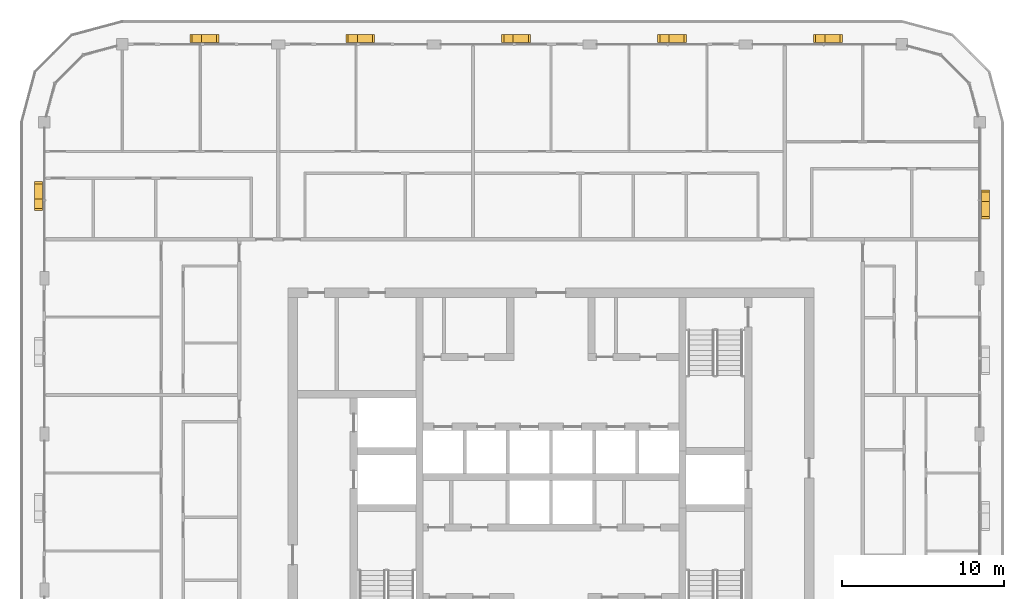
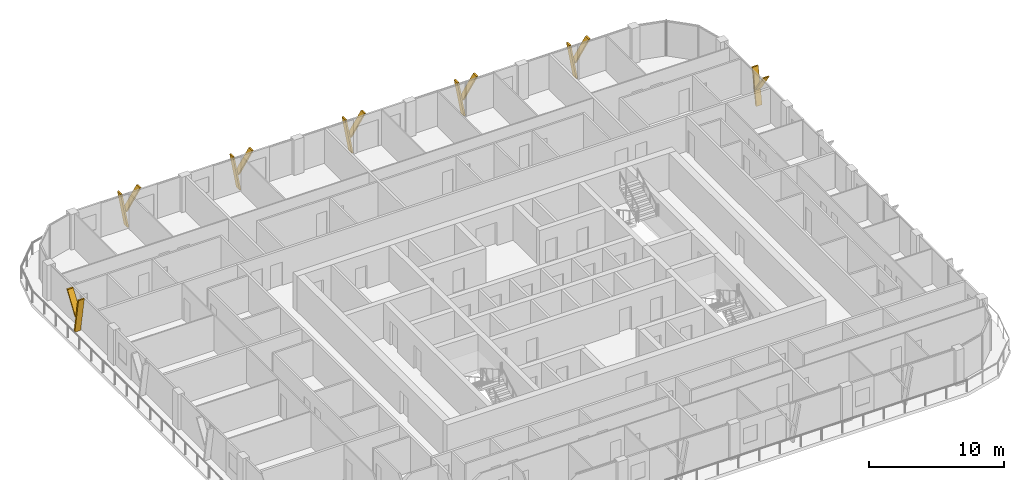
# One storey, part 21 of 21: 14 shading devices.
"""IFC4 building model written with IfcOpenShell, lengths in metres."""

from ifc_helpers import new_model, si_unit, direction, frame, origin, place, context, subcontext, project, spatial, polyline, outline, extrude, material, type_object, element, save


model = new_model("IFC4")

# Units and contexts
model_context = context("Model", 3, precision=1e-05, world=origin(), true_north=direction((0.0, 1.0)))
body_context = subcontext(model_context, "Body", "Model", "MODEL_VIEW")
ifc_project = project(units=[si_unit("LENGTHUNIT", "METRE"), si_unit("AREAUNIT", "SQUARE_METRE"), si_unit("VOLUMEUNIT", "CUBIC_METRE"), si_unit("PLANEANGLEUNIT", "RADIAN"), si_unit("MASSUNIT", "GRAM", prefix="KILO")], contexts=[model_context])

# Site, building, storey
site_placement = place(None, origin())
site = spatial("IfcSite", under=ifc_project, at=site_placement, CompositionType="ELEMENT")
building_placement = place(site_placement, origin())
building = spatial("IfcBuilding", under=site, at=building_placement, Name="Madar Terraces", CompositionType="ELEMENT")
storey_placement = place(building_placement, frame((0.0, 0.0, 245.699951171875)))
storey = spatial("IfcBuildingStorey", under=building, at=storey_placement, Name="L64", CompositionType="ELEMENT", Elevation=245.699951171875)

# Shading devices
ifc_material = material(Name="Aluminium, black anodised", Category="aluminium")
shading_device_type = type_object("IfcShadingDeviceType", Name="Facade fin blade 140 x 500", PredefinedType="USERDEFINED", material=ifc_material)
shading_device_1_placement = place(storey_placement, frame((57.949951171875, 43.1298828125, 0.0), z_axis=(0.0, 0.0, 1.0), x_axis=(0.0, 1.0, 0.0)))
element("IfcShadingDevice", 1, at=shading_device_1_placement, inside=storey, type_object=shading_device_type, Name="FIN L64 E4", ObjectType="FIN", PredefinedType="USERDEFINED", context=body_context, shape_type="SweptSolid", body=[
    extrude(outline(polyline([(0.0, 0.0), (0.14013671875, 0.0), (0.704345703125, 3.199951171875), (0.564208984375, 3.199951171875), (0.0, 0.0)])), frame((0.0, 0.25, 0.0), z_axis=(0.0, -1.0, 0.0), x_axis=(1.0, 0.0, 0.0)), (0.0, 0.0, 1.0), 0.5),
])
shading_device_2_placement = place(storey_placement, frame((57.949951171875, 43.243896484375, 1.43994140625), z_axis=(0.0, 0.0, 1.0), x_axis=(0.0, 1.0, 0.0)))
element("IfcShadingDevice", 2, at=shading_device_2_placement, inside=storey, type_object=shading_device_type, Name="FIN L64 E4 branch", ObjectType="FIN", PredefinedType="USERDEFINED", context=body_context, shape_type="SweptSolid", body=[
    extrude(outline(polyline([(0.0, 0.0), (0.139892578125, 0.0), (-1.049560546875, 1.760009765625), (-1.189697265625, 1.760009765625), (0.0, 0.0)])), frame((0.0, 0.25, 0.0), z_axis=(0.0, -1.0, 0.0), x_axis=(1.0, 0.0, 0.0)), (0.0, 0.0, 1.0), 0.5),
])
shading_device_3_placement = place(storey_placement, frame((48.070068359375, 53.14990234375, 0.0), z_axis=(0.0, 0.0, 1.0), x_axis=(-1.0, 0.0, 0.0)))
element("IfcShadingDevice", 3, at=shading_device_3_placement, inside=storey, type_object=shading_device_type, Name="FIN L64 N1", ObjectType="FIN", PredefinedType="USERDEFINED", context=body_context, shape_type="SweptSolid", body=[
    extrude(outline(polyline([(0.0, 0.0), (0.14013671875, 0.0), (0.704345703125, 3.199951171875), (0.564208984375, 3.199951171875), (0.0, 0.0)])), frame((0.0, 0.25, 0.0), z_axis=(0.0, -1.0, 0.0), x_axis=(1.0, 0.0, 0.0)), (0.0, 0.0, 1.0), 0.5),
])
shading_device_4_placement = place(storey_placement, frame((47.9560546875, 53.14990234375, 1.43994140625), z_axis=(0.0, 0.0, 1.0), x_axis=(-1.0, 0.0, 0.0)))
element("IfcShadingDevice", 4, at=shading_device_4_placement, inside=storey, type_object=shading_device_type, Name="FIN L64 N1 branch", ObjectType="FIN", PredefinedType="USERDEFINED", context=body_context, shape_type="SweptSolid", body=[
    extrude(outline(polyline([(0.0, 0.0), (0.139892578125, 0.0), (-1.049560546875, 1.760009765625), (-1.189697265625, 1.760009765625), (0.0, 0.0)])), frame((0.0, 0.25, 0.0), z_axis=(0.0, -1.0, 0.0), x_axis=(1.0, 0.0, 0.0)), (0.0, 0.0, 1.0), 0.5),
])
shading_device_5_placement = place(storey_placement, frame((38.469970703125, 53.14990234375, 0.0), z_axis=(0.0, 0.0, 1.0), x_axis=(-1.0, 0.0, 0.0)))
element("IfcShadingDevice", 5, at=shading_device_5_placement, inside=storey, type_object=shading_device_type, Name="FIN L64 N2", ObjectType="FIN", PredefinedType="USERDEFINED", context=body_context, shape_type="SweptSolid", body=[
    extrude(outline(polyline([(0.0, 0.0), (0.139892578125, 0.0), (0.704345703125, 3.199951171875), (0.564208984375, 3.199951171875), (0.0, 0.0)])), frame((0.0, 0.25, 0.0), z_axis=(0.0, -1.0, 0.0), x_axis=(1.0, 0.0, 0.0)), (0.0, 0.0, 1.0), 0.5),
])
shading_device_6_placement = place(storey_placement, frame((38.356201171875, 53.14990234375, 1.43994140625), z_axis=(0.0, 0.0, 1.0), x_axis=(-1.0, 0.0, 0.0)))
element("IfcShadingDevice", 6, at=shading_device_6_placement, inside=storey, type_object=shading_device_type, Name="FIN L64 N2 branch", ObjectType="FIN", PredefinedType="USERDEFINED", context=body_context, shape_type="SweptSolid", body=[
    extrude(outline(polyline([(0.0, 0.0), (0.14013671875, 0.0), (-1.049560546875, 1.760009765625), (-1.189697265625, 1.760009765625), (0.0, 0.0)])), frame((0.0, 0.25, 0.0), z_axis=(0.0, -1.0, 0.0), x_axis=(1.0, 0.0, 0.0)), (0.0, 0.0, 1.0), 0.5),
])
shading_device_7_placement = place(storey_placement, frame((28.8701171875, 53.14990234375, 0.0), z_axis=(0.0, 0.0, 1.0), x_axis=(-1.0, 0.0, 0.0)))
element("IfcShadingDevice", 7, at=shading_device_7_placement, inside=storey, type_object=shading_device_type, Name="FIN L64 N3", ObjectType="FIN", PredefinedType="USERDEFINED", context=body_context, shape_type="SweptSolid", body=[
    extrude(outline(polyline([(0.0, 0.0), (0.14013671875, 0.0), (0.704345703125, 3.199951171875), (0.564208984375, 3.199951171875), (0.0, 0.0)])), frame((0.0, 0.25, 0.0), z_axis=(0.0, -1.0, 0.0), x_axis=(1.0, 0.0, 0.0)), (0.0, 0.0, 1.0), 0.5),
])
shading_device_8_placement = place(storey_placement, frame((28.756103515625, 53.14990234375, 1.43994140625), z_axis=(0.0, 0.0, 1.0), x_axis=(-1.0, 0.0, 0.0)))
element("IfcShadingDevice", 8, at=shading_device_8_placement, inside=storey, type_object=shading_device_type, Name="FIN L64 N3 branch", ObjectType="FIN", PredefinedType="USERDEFINED", context=body_context, shape_type="SweptSolid", body=[
    extrude(outline(polyline([(0.0, 0.0), (0.139892578125, 0.0), (-1.049560546875, 1.760009765625), (-1.189697265625, 1.760009765625), (0.0, 0.0)])), frame((0.0, 0.25, 0.0), z_axis=(0.0, -1.0, 0.0), x_axis=(1.0, 0.0, 0.0)), (0.0, 0.0, 1.0), 0.5),
])
shading_device_9_placement = place(storey_placement, frame((19.27001953125, 53.14990234375, 0.0), z_axis=(0.0, 0.0, 1.0), x_axis=(-1.0, 0.0, 0.0)))
element("IfcShadingDevice", 9, at=shading_device_9_placement, inside=storey, type_object=shading_device_type, Name="FIN L64 N4", ObjectType="FIN", PredefinedType="USERDEFINED", context=body_context, shape_type="SweptSolid", body=[
    extrude(outline(polyline([(0.0, 0.0), (0.14013671875, 0.0), (0.704345703125, 3.199951171875), (0.564208984375, 3.199951171875), (0.0, 0.0)])), frame((0.0, 0.25, 0.0), z_axis=(0.0, -1.0, 0.0), x_axis=(1.0, 0.0, 0.0)), (0.0, 0.0, 1.0), 0.5),
])
shading_device_10_placement = place(storey_placement, frame((19.156005859375, 53.14990234375, 1.43994140625), z_axis=(0.0, 0.0, 1.0), x_axis=(-1.0, 0.0, 0.0)))
element("IfcShadingDevice", 10, at=shading_device_10_placement, inside=storey, type_object=shading_device_type, Name="FIN L64 N4 branch", ObjectType="FIN", PredefinedType="USERDEFINED", context=body_context, shape_type="SweptSolid", body=[
    extrude(outline(polyline([(0.0, 0.0), (0.139892578125, 0.0), (-1.049560546875, 1.760009765625), (-1.189697265625, 1.760009765625), (0.0, 0.0)])), frame((0.0, 0.25, 0.0), z_axis=(0.0, -1.0, 0.0), x_axis=(1.0, 0.0, 0.0)), (0.0, 0.0, 1.0), 0.5),
])
shading_device_11_placement = place(storey_placement, frame((9.669921875, 53.14990234375, 0.0), z_axis=(0.0, 0.0, 1.0), x_axis=(-1.0, 0.0, 0.0)))
element("IfcShadingDevice", 11, at=shading_device_11_placement, inside=storey, type_object=shading_device_type, Name="FIN L64 N5", ObjectType="FIN", PredefinedType="USERDEFINED", context=body_context, shape_type="SweptSolid", body=[
    extrude(outline(polyline([(0.0, 0.0), (0.139892578125, 0.0), (0.704345703125, 3.199951171875), (0.564208984375, 3.199951171875), (0.0, 0.0)])), frame((0.0, 0.25, 0.0), z_axis=(0.0, -1.0, 0.0), x_axis=(1.0, 0.0, 0.0)), (0.0, 0.0, 1.0), 0.5),
])
shading_device_12_placement = place(storey_placement, frame((9.55615234375, 53.14990234375, 1.43994140625), z_axis=(0.0, 0.0, 1.0), x_axis=(-1.0, 0.0, 0.0)))
element("IfcShadingDevice", 12, at=shading_device_12_placement, inside=storey, type_object=shading_device_type, Name="FIN L64 N5 branch", ObjectType="FIN", PredefinedType="USERDEFINED", context=body_context, shape_type="SweptSolid", body=[
    extrude(outline(polyline([(0.0, 0.0), (0.14013671875, 0.0), (-1.049560546875, 1.760009765625), (-1.189697265625, 1.760009765625), (0.0, 0.0)])), frame((0.0, 0.25, 0.0), z_axis=(0.0, -1.0, 0.0), x_axis=(1.0, 0.0, 0.0)), (0.0, 0.0, 1.0), 0.5),
])
shading_device_13_placement = place(storey_placement, frame((-0.35009765625, 43.27001953125, 0.0), z_axis=(0.0, 0.0, 1.0), x_axis=(0.0, -1.0, 0.0)))
element("IfcShadingDevice", 13, at=shading_device_13_placement, inside=storey, type_object=shading_device_type, Name="FIN L64 W1", ObjectType="FIN", PredefinedType="USERDEFINED", context=body_context, shape_type="SweptSolid", body=[
    extrude(outline(polyline([(0.0, 0.0), (0.14013671875, 0.0), (0.704345703125, 3.199951171875), (0.564208984375, 3.199951171875), (0.0, 0.0)])), frame((0.0, 0.25, 0.0), z_axis=(0.0, -1.0, 0.0), x_axis=(1.0, 0.0, 0.0)), (0.0, 0.0, 1.0), 0.5),
])
shading_device_14_placement = place(storey_placement, frame((-0.35009765625, 43.156005859375, 1.43994140625), z_axis=(0.0, 0.0, 1.0), x_axis=(0.0, -1.0, 0.0)))
element("IfcShadingDevice", 14, at=shading_device_14_placement, inside=storey, type_object=shading_device_type, Name="FIN L64 W1 branch", ObjectType="FIN", PredefinedType="USERDEFINED", context=body_context, shape_type="SweptSolid", body=[
    extrude(outline(polyline([(0.0, 0.0), (0.139892578125, 0.0), (-1.049560546875, 1.760009765625), (-1.189697265625, 1.760009765625), (0.0, 0.0)])), frame((0.0, 0.25, 0.0), z_axis=(0.0, -1.0, 0.0), x_axis=(1.0, 0.0, 0.0)), (0.0, 0.0, 1.0), 0.5),
])

save(model, "model.ifc")
